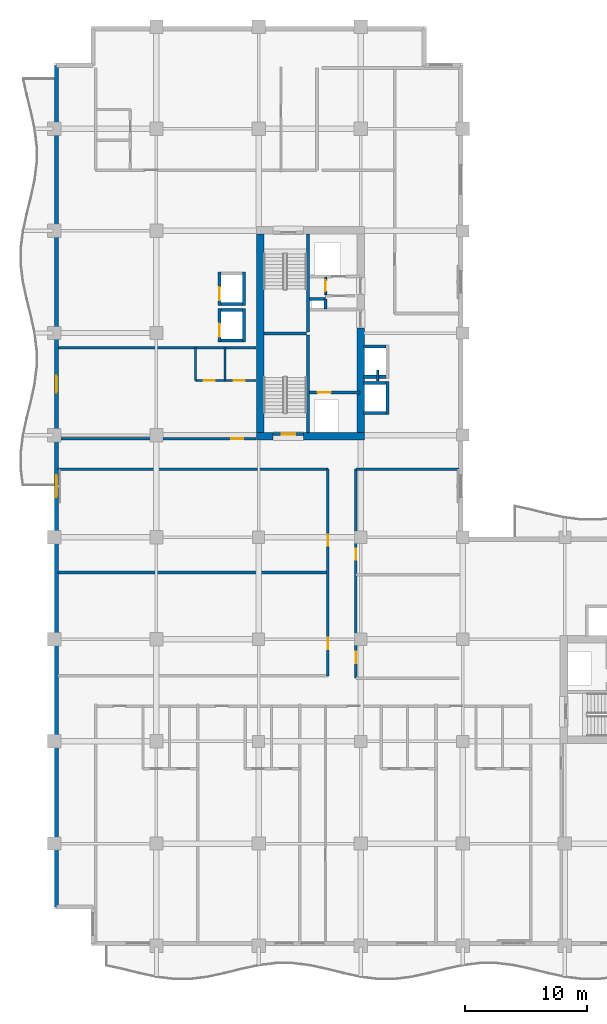
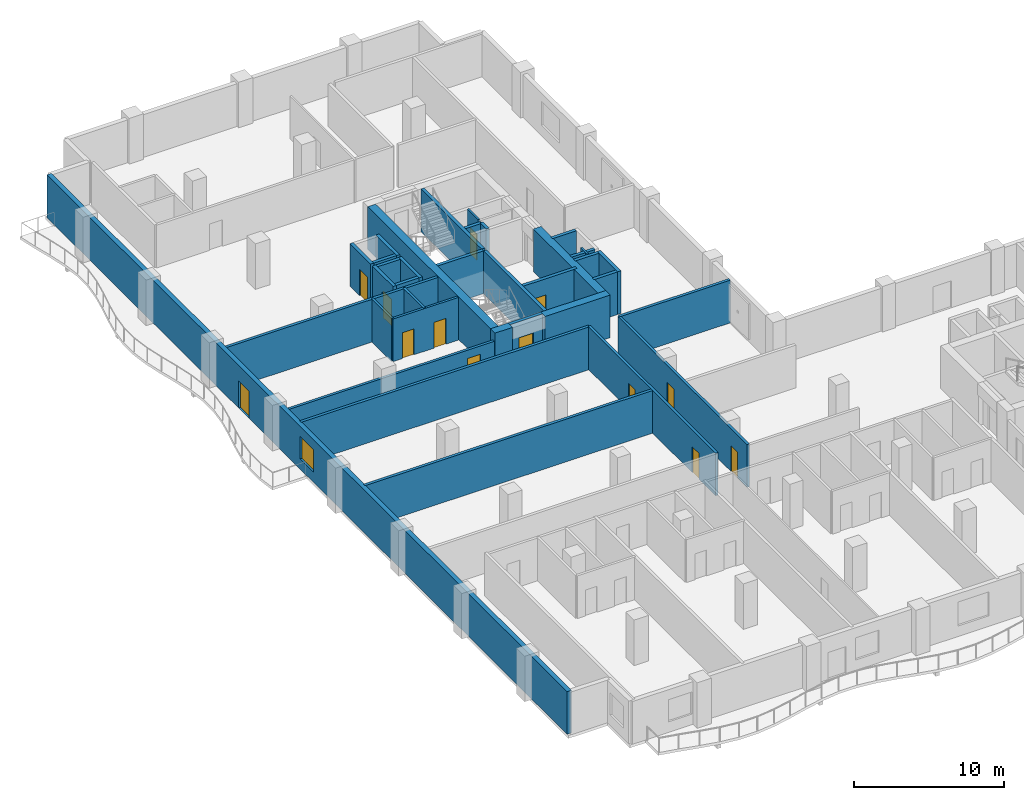
# One storey, part 6 of 14: 36 walls, 13 doors, 1 window, 14 openings.
"""IFC4 building model written with IfcOpenShell, lengths in metres."""

from ifc_helpers import new_model, si_unit, direction, frame, frame_2d, origin, place, context, subcontext, project, spatial, rectangle, extrude, material, layer, layer_set, type_object, element, fill, save


model = new_model("IFC4")

# Units and contexts
model_context = context("Model", 3, precision=1e-05, world=origin(), true_north=direction((0.0, 1.0)))
body_context = subcontext(model_context, "Body", "Model", "MODEL_VIEW")
ifc_project = project(units=[si_unit("LENGTHUNIT", "METRE"), si_unit("AREAUNIT", "SQUARE_METRE"), si_unit("VOLUMEUNIT", "CUBIC_METRE"), si_unit("PLANEANGLEUNIT", "RADIAN"), si_unit("MASSUNIT", "GRAM", prefix="KILO")], contexts=[model_context])

# Site, building, storey
site_placement = place(None, origin())
site = spatial("IfcSite", under=ifc_project, at=site_placement, CompositionType="ELEMENT")
building_placement = place(site_placement, origin())
building = spatial("IfcBuilding", under=site, at=building_placement, Name="Koriwani Terraces Tower", CompositionType="ELEMENT")
storey_placement = place(building_placement, frame((0.0, 0.0, 201.300048828125)))
storey = spatial("IfcBuildingStorey", under=building, at=storey_placement, Name="L49", CompositionType="ELEMENT", Elevation=201.300048828125)

# Walls
ifc_material_1 = material(Name="Concrete C60/75", Category="concrete")
ifc_layer_1 = layer(ifc_material_1, 0.60009765625, Name="Concrete C60/75")
ifc_layer_set_1 = layer_set([ifc_layer_1], Name="Concrete C60/75")
wall_type_1 = type_object("IfcWallType", Name="WALL_CORE_RC_600", PredefinedType="SHEAR", material=ifc_layer_set_1)
wall_1_placement = place(storey_placement, frame((16.64990234375, 41.89990234375, 0.0), z_axis=(0.0, 0.0, 1.0), x_axis=(1.0, 0.0, 0.0)))
element("IfcWall", 1, at=wall_1_placement, inside=storey, type_object=wall_type_1, Name="L49 West Split Core Shear Wall S1", PredefinedType="SHEAR", context=body_context, shape_type="SweptSolid", body=[
    extrude(rectangle(XDim=1.35009765625, YDim=0.60009765625, at=frame_2d((0.675048828125, 0.0))), origin(), (0.0, 0.0, 1.0), 3.469970703125),
])
wall_2_placement = place(storey_placement, frame((20.5, 41.89990234375, 0.0), z_axis=(0.0, 0.0, 1.0), x_axis=(1.0, 0.0, 0.0)))
element("IfcWall", 2, at=wall_2_placement, inside=storey, type_object=wall_type_1, Name="L49 West Split Core Shear Wall S2", PredefinedType="SHEAR", context=body_context, shape_type="SweptSolid", body=[
    extrude(rectangle(XDim=5.0, YDim=0.60009765625, at=frame_2d((2.5, 0.0))), origin(), (0.0, 0.0, 1.0), 3.469970703125),
])
wall_3_placement = place(storey_placement, frame((16.949951171875, 42.199951171875, 0.0), z_axis=(0.0, 0.0, 1.0), x_axis=(0.0, 1.0, 0.0)))
element("IfcWall", 3, at=wall_3_placement, inside=storey, type_object=wall_type_1, Name="L49 West Split Core Shear Wall W1", PredefinedType="SHEAR", context=body_context, shape_type="SweptSolid", body=[
    extrude(rectangle(XDim=16.35009765625, YDim=0.60009765625, at=frame_2d((8.175048828125, 0.0))), origin(), (0.0, 0.0, 1.0), 3.469970703125),
])
wall_4_placement = place(storey_placement, frame((25.199951171875, 42.199951171875, 0.0), z_axis=(0.0, 0.0, 1.0), x_axis=(0.0, 1.0, 0.0)))
element("IfcWall", 4, at=wall_4_placement, inside=storey, type_object=wall_type_1, Name="L49 West Split Core Shear Wall E1", PredefinedType="SHEAR", context=body_context, shape_type="SweptSolid", body=[
    extrude(rectangle(XDim=8.60009765625, YDim=0.60009765625, at=frame_2d((4.300048828125, 0.0))), origin(), (0.0, 0.0, 1.0), 3.469970703125),
])

# Wall, opening, door
ifc_material_2 = material(Name="Autoclaved Cellular Concrete Blockwork", Category="masonry")
ifc_layer_2 = layer(ifc_material_2, 0.199951171875, Name="Autoclaved Cellular Concrete Blockwork")
ifc_layer_set_2 = layer_set([ifc_layer_2], Name="Autoclaved Cellular Concrete Blockwork")
wall_type_2 = type_object("IfcWallType", Name="WALL_CORRIDOR_200", PredefinedType="PARTITIONING", material=ifc_layer_set_2)
wall_5_placement = place(storey_placement, frame((0.35009765625, 41.699951171875, 0.0), z_axis=(0.0, 0.0, 1.0), x_axis=(1.0, 0.0, 0.0)))
wall_5 = element("IfcWall", 5, at=wall_5_placement, inside=storey, type_object=wall_type_2, Name="L49 Interior Wall WREC-WS-L49", PredefinedType="PARTITIONING", context=body_context, shape_type="SweptSolid", body=[
    extrude(rectangle(XDim=16.25, YDim=0.199951171875, at=frame_2d((8.125, 0.0))), origin(), (0.0, 0.0, 1.0), 2.820068359375),
])
opening_1_placement = place(wall_5_placement, frame((14.199951171875, 0.0, 0.0)))
opening_1 = element("IfcOpeningElement", 6, at=opening_1_placement, cuts=wall_5, Name="Opening D-05", PredefinedType="OPENING", context=body_context, shape_type="SweptSolid", body=[
    extrude(rectangle(XDim=1.0, YDim=2.14990234375, at=frame_2d((0.5, 1.074951171875))), frame((0.0, 0.10986328125, 0.0), z_axis=(0.0, -1.0, 0.0), x_axis=(1.0, 0.0, 0.0)), (0.0, 0.0, 1.0), 0.219970703125),
])
ifc_material_3 = material(Name="Architectural Oak Fire Door", Category="wood")
door_type_1 = type_object("IfcDoorType", Name="DOOR_SUITE_ENTRY_1000X2150", OperationType="NOTDEFINED", PredefinedType="DOOR", material=ifc_material_3)
door_1_placement = place(opening_1_placement, origin())
door_1 = element("IfcDoor", 7, at=door_1_placement, inside=storey, type_object=door_type_1, Name="L49 Reclaimed West Suite Door", OperationType="SINGLE_SWING_LEFT", OverallHeight=2.14990234375, OverallWidth=1.0, PredefinedType="DOOR", context=body_context, shape_type="SweptSolid", body=[
    extrude(rectangle(XDim=1.0, YDim=2.14990234375, at=frame_2d((0.5, 1.074951171875))), frame((0.0, 0.02490234375, 0.0), z_axis=(0.0, -1.0, 0.0), x_axis=(1.0, 0.0, 0.0)), (0.0, 0.0, 1.0), 0.050048828125),
])
fill(opening_1, door_1)

# Wall, openings, doors
wall_6_placement = place(storey_placement, frame((24.800048828125, 22.0, 0.0), z_axis=(0.0, 0.0, 1.0), x_axis=(0.0, 1.0, 0.0)))
wall_6 = element("IfcWall", 8, at=wall_6_placement, inside=storey, type_object=wall_type_2, Name="L49 Interior Wall WIC2-W-L49", PredefinedType="PARTITIONING", context=body_context, shape_type="SweptSolid", body=[
    extrude(rectangle(XDim=17.199951171875, YDim=0.199951171875, at=frame_2d((8.60009765625, 0.0))), origin(), (0.0, 0.0, 1.0), 3.469970703125),
])
opening_2_placement = place(wall_6_placement, frame((1.25, 0.0, 0.0)))
opening_2 = element("IfcOpeningElement", 9, at=opening_2_placement, cuts=wall_6, Name="Opening D-06", PredefinedType="OPENING", context=body_context, shape_type="SweptSolid", body=[
    extrude(rectangle(XDim=0.919921875, YDim=2.10009765625, at=frame_2d((0.4599609375, 1.050048828125))), frame((0.0, 0.10986328125, 0.0), z_axis=(0.0, -1.0, 0.0), x_axis=(1.0, 0.0, 0.0)), (0.0, 0.0, 1.0), 0.219970703125),
])
opening_3_placement = place(wall_6_placement, frame((9.75, 0.0, 0.0)))
opening_3 = element("IfcOpeningElement", 10, at=opening_3_placement, cuts=wall_6, Name="Opening D-06", PredefinedType="OPENING", context=body_context, shape_type="SweptSolid", body=[
    extrude(rectangle(XDim=0.919921875, YDim=2.10009765625, at=frame_2d((0.4599609375, 1.050048828125))), frame((0.0, 0.10986328125, 0.0), z_axis=(0.0, -1.0, 0.0), x_axis=(1.0, 0.0, 0.0)), (0.0, 0.0, 1.0), 0.219970703125),
])
door_type_2 = type_object("IfcDoorType", Name="DOOR_ROOM_INT_920X2100", OperationType="NOTDEFINED", PredefinedType="DOOR", material=ifc_material_3)
door_2_placement = place(opening_2_placement, origin())
door_2 = element("IfcDoor", 11, at=door_2_placement, inside=storey, type_object=door_type_2, Name="L49 Inner Court Salon Door", OperationType="SINGLE_SWING_LEFT", OverallHeight=2.10009765625, OverallWidth=0.919921875, PredefinedType="DOOR", context=body_context, shape_type="SweptSolid", body=[
    extrude(rectangle(XDim=0.919921875, YDim=2.10009765625, at=frame_2d((0.4599609375, 1.050048828125))), frame((0.0, 0.02490234375, 0.0), z_axis=(0.0, -1.0, 0.0), x_axis=(1.0, 0.0, 0.0)), (0.0, 0.0, 1.0), 0.050048828125),
])
fill(opening_2, door_2)
door_3_placement = place(opening_3_placement, origin())
door_3 = element("IfcDoor", 12, at=door_3_placement, inside=storey, type_object=door_type_2, Name="L49 Inner Court Media Room Door", OperationType="SINGLE_SWING_RIGHT", OverallHeight=2.10009765625, OverallWidth=0.919921875, PredefinedType="DOOR", context=body_context, shape_type="SweptSolid", body=[
    extrude(rectangle(XDim=0.919921875, YDim=2.10009765625, at=frame_2d((0.4599609375, 1.050048828125))), frame((0.0, 0.02490234375, 0.0), z_axis=(0.0, -1.0, 0.0), x_axis=(1.0, 0.0, 0.0)), (0.0, 0.0, 1.0), 0.050048828125),
])
fill(opening_3, door_3)

wall_7_placement = place(storey_placement, frame((22.5, 22.199951171875, 0.0), z_axis=(0.0, 0.0, 1.0), x_axis=(0.0, 1.0, 0.0)))
wall_7 = element("IfcWall", 13, at=wall_7_placement, inside=storey, type_object=wall_type_2, Name="L49 Interior Wall WNW3CL-L49", PredefinedType="PARTITIONING", context=body_context, shape_type="SweptSolid", body=[
    extrude(rectangle(XDim=17.0, YDim=0.199951171875, at=frame_2d((8.5, 0.0))), origin(), (0.0, 0.0, 1.0), 3.469970703125),
])
opening_4_placement = place(wall_7_placement, frame((2.199951171875, 0.0, 0.0)))
opening_4 = element("IfcOpeningElement", 14, at=opening_4_placement, cuts=wall_7, Name="Opening D-06", PredefinedType="OPENING", context=body_context, shape_type="SweptSolid", body=[
    extrude(rectangle(XDim=0.919921875, YDim=2.10009765625, at=frame_2d((0.4599609375, 1.050048828125))), frame((0.0, 0.10986328125, 0.0), z_axis=(0.0, -1.0, 0.0), x_axis=(1.0, 0.0, 0.0)), (0.0, 0.0, 1.0), 0.219970703125),
])
opening_5_placement = place(wall_7_placement, frame((10.699951171875, 0.0, 0.0)))
opening_5 = element("IfcOpeningElement", 15, at=opening_5_placement, cuts=wall_7, Name="Opening D-06", PredefinedType="OPENING", context=body_context, shape_type="SweptSolid", body=[
    extrude(rectangle(XDim=0.919921875, YDim=2.10009765625, at=frame_2d((0.4599609375, 1.050048828125))), frame((0.0, 0.10986328125, 0.0), z_axis=(0.0, -1.0, 0.0), x_axis=(1.0, 0.0, 0.0)), (0.0, 0.0, 1.0), 0.219970703125),
])
door_4_placement = place(opening_4_placement, origin())
door_4 = element("IfcDoor", 16, at=door_4_placement, inside=storey, type_object=door_type_2, Name="L49 Resident Wellness Studio Door", OperationType="SINGLE_SWING_RIGHT", OverallHeight=2.10009765625, OverallWidth=0.919921875, PredefinedType="DOOR", context=body_context, shape_type="SweptSolid", body=[
    extrude(rectangle(XDim=0.919921875, YDim=2.10009765625, at=frame_2d((0.4599609375, 1.050048828125))), frame((0.0, 0.02490234375, 0.0), z_axis=(0.0, -1.0, 0.0), x_axis=(1.0, 0.0, 0.0)), (0.0, 0.0, 1.0), 0.050048828125),
])
fill(opening_4, door_4)
door_5_placement = place(opening_5_placement, origin())
door_5 = element("IfcDoor", 17, at=door_5_placement, inside=storey, type_object=door_type_2, Name="L49 Resident Cinema Lounge Door", OperationType="SINGLE_SWING_LEFT", OverallHeight=2.10009765625, OverallWidth=0.919921875, PredefinedType="DOOR", context=body_context, shape_type="SweptSolid", body=[
    extrude(rectangle(XDim=0.919921875, YDim=2.10009765625, at=frame_2d((0.4599609375, 1.050048828125))), frame((0.0, 0.02490234375, 0.0), z_axis=(0.0, -1.0, 0.0), x_axis=(1.0, 0.0, 0.0)), (0.0, 0.0, 1.0), 0.050048828125),
])
fill(opening_5, door_5)

# Walls
ifc_layer_3 = layer(ifc_material_2, 0.219970703125, Name="Autoclaved Cellular Concrete Blockwork")
ifc_layer_set_3 = layer_set([ifc_layer_3], Name="Autoclaved Cellular Concrete Blockwork")
wall_type_3 = type_object("IfcWallType", Name="WALL_DEMISING_220", PredefinedType="PARTITIONING", material=ifc_layer_set_3)
wall_8_placement = place(storey_placement, frame((0.35009765625, 49.199951171875, 0.0), z_axis=(0.0, 0.0, 1.0), x_axis=(1.0, 0.0, 0.0)))
element("IfcWall", 18, at=wall_8_placement, inside=storey, type_object=wall_type_3, Name="L49 Interior Wall WREC-WN-L49", PredefinedType="PARTITIONING", context=body_context, shape_type="SweptSolid", body=[
    extrude(rectangle(XDim=16.25, YDim=0.219970703125, at=frame_2d((8.125, 0.0))), origin(), (0.0, 0.0, 1.0), 3.469970703125),
])
wall_9_placement = place(storey_placement, frame((24.800048828125, 39.199951171875, 0.0), z_axis=(0.0, 0.0, 1.0), x_axis=(1.0, 0.0, 0.0)))
element("IfcWall", 19, at=wall_9_placement, inside=storey, type_object=wall_type_3, Name="L49 Interior Wall WIC2-N-L49", PredefinedType="PARTITIONING", context=body_context, shape_type="SweptSolid", body=[
    extrude(rectangle(XDim=8.5, YDim=0.219970703125, at=frame_2d((4.25, 0.0))), origin(), (0.0, 0.0, 1.0), 3.469970703125),
])
for number, where, z_axis, x_axis, name in (
    (20, (0.300048828125, 30.699951171875, 0.0), (0.0, 0.0, 1.0), (1.0, 0.0, 0.0), "L49 Interior Wall WNW3M-L49"),
    (21, (0.300048828125, 39.199951171875, 0.0), (0.0, 0.0, 1.0), (1.0, 0.0, 0.0), "L49 Interior Wall WNW3N-L49"),
):
    element("IfcWall", number, at=place(storey_placement, frame(where, z_axis=z_axis, x_axis=x_axis)), inside=storey, type_object=wall_type_3, Name=name, PredefinedType="PARTITIONING", context=body_context, shape_type="SweptSolid", body=[
        extrude(rectangle(XDim=22.199951171875, YDim=0.219970703125, at=frame_2d((11.10009765625, 0.0))), origin(), (0.0, 0.0, 1.0), 3.469970703125),
    ])

# Wall, openings, door, window
ifc_material_4 = material(Name="Concrete C50/60", Category="concrete")
ifc_layer_4 = layer(ifc_material_4, 0.35009765625, Name="Concrete C50/60")
ifc_layer_set_4 = layer_set([ifc_layer_4], Name="Concrete C50/60")
wall_type_4 = type_object("IfcWallType", Name="WALL_EXT_BRUTALIST_350", PredefinedType="STANDARD", material=ifc_layer_set_4)
wall_10_placement = place(storey_placement, frame((0.175048828125, 3.175048828125, 0.0), z_axis=(0.0, 0.0, 1.0), x_axis=(0.0, 1.0, 0.0)))
wall_10 = element("IfcWall", 22, at=wall_10_placement, inside=storey, type_object=wall_type_4, Name="L49 Fair-Faced Brutalist Exterior Wall (W)", PredefinedType="STANDARD", context=body_context, shape_type="SweptSolid", body=[
    extrude(rectangle(XDim=69.25, YDim=0.35009765625, at=frame_2d((34.625, 0.0))), origin(), (0.0, 0.0, 1.0), 3.469970703125),
])
opening_6_placement = place(wall_10_placement, frame((42.324951171875, 0.0, 0.0)))
opening_6 = element("IfcOpeningElement", 23, at=opening_6_placement, cuts=wall_10, Name="Opening D-09", PredefinedType="OPENING", context=body_context, shape_type="SweptSolid", body=[
    extrude(rectangle(XDim=1.39990234375, YDim=2.199951171875, at=frame_2d((0.699951171875, 1.10009765625))), frame((0.0, 0.18505859375, 0.0), z_axis=(0.0, -1.0, 0.0), x_axis=(1.0, 0.0, 0.0)), (0.0, 0.0, 1.0), 0.3701171875),
])
opening_7_placement = place(wall_10_placement, frame((33.72509765625, 0.0, 0.85009765625)))
opening_7 = element("IfcOpeningElement", 24, at=opening_7_placement, cuts=wall_10, Name="Opening W-04", PredefinedType="OPENING", context=body_context, shape_type="SweptSolid", body=[
    extrude(rectangle(XDim=1.800048828125, YDim=1.800048828125, at=frame_2d((0.89990234375, 0.89990234375))), frame((0.0, 0.18505859375, 0.0), z_axis=(0.0, -1.0, 0.0), x_axis=(1.0, 0.0, 0.0)), (0.0, 0.0, 1.0), 0.3701171875),
])
ifc_material_5 = material(Name="Anodised Bronze Aluminium", Category="aluminium")
door_type_3 = type_object("IfcDoorType", Name="DOOR_BALCONY_GLAZED_1400X2200", OperationType="NOTDEFINED", PredefinedType="DOOR", material=ifc_material_5)
door_6_placement = place(opening_6_placement, origin())
door_6 = element("IfcDoor", 25, at=door_6_placement, inside=storey, type_object=door_type_3, Name="L49 West Balcony Glazed Door", OperationType="SINGLE_SWING_LEFT", OverallHeight=2.199951171875, OverallWidth=1.39990234375, PredefinedType="DOOR", context=body_context, shape_type="SweptSolid", body=[
    extrude(rectangle(XDim=1.39990234375, YDim=2.199951171875, at=frame_2d((0.699951171875, 1.10009765625))), frame((0.0, 0.02490234375, 0.0), z_axis=(0.0, -1.0, 0.0), x_axis=(1.0, 0.0, 0.0)), (0.0, 0.0, 1.0), 0.050048828125),
])
fill(opening_6, door_6)
ifc_material_6 = material(Name="Tempered Laminated Low-E Glass", Category="glass")
window_type = type_object("IfcWindowType", Name="WIN_RES_BED_1800X1800", PartitioningType="DOUBLE_PANEL_VERTICAL", PredefinedType="WINDOW", material=ifc_material_6)
window_placement = place(opening_7_placement, origin())
window = element("IfcWindow", 26, at=window_placement, inside=storey, type_object=window_type, Name="L49 Exterior Window (W-12)", OverallHeight=1.800048828125, OverallWidth=1.800048828125, PartitioningType="SINGLE_PANEL", PredefinedType="WINDOW", context=body_context, shape_type="SweptSolid", body=[
    extrude(rectangle(XDim=1.800048828125, YDim=1.800048828125, at=frame_2d((0.89990234375, 0.89990234375))), frame((0.0, 0.030029296875, 0.0), z_axis=(0.0, -1.0, 0.0), x_axis=(1.0, 0.0, 0.0)), (0.0, 0.0, 1.0), 0.06005859375),
])
fill(opening_7, window)

# Wall, openings, doors
ifc_material_7 = material(Name="Fire-Rated Acoustic Gypsum Partition", Category="masonry")
ifc_layer_5 = layer(ifc_material_7, 0.179931640625, Name="Fire-Rated Acoustic Gypsum Partition")
ifc_layer_set_5 = layer_set([ifc_layer_5], Name="Fire-Rated Acoustic Gypsum Partition")
wall_type_5 = type_object("IfcWallType", Name="WALL_PLUMBING_180", PredefinedType="PLUMBINGWALL", material=ifc_layer_set_5)
wall_11_placement = place(storey_placement, frame((11.60009765625, 46.5, 0.0), z_axis=(0.0, 0.0, 1.0), x_axis=(1.0, 0.0, 0.0)))
wall_11 = element("IfcWall", 27, at=wall_11_placement, inside=storey, type_object=wall_type_5, Name="L49 Interior Wall WREC-WBB-L49", PredefinedType="PLUMBINGWALL", context=body_context, shape_type="SweptSolid", body=[
    extrude(rectangle(XDim=5.0, YDim=0.179931640625, at=frame_2d((2.5, 0.0))), origin(), (0.0, 0.0, 1.0), 3.469970703125),
])
opening_8_placement = place(wall_11_placement, frame((0.699951171875, 0.0, 0.0)))
opening_8 = element("IfcOpeningElement", 28, at=opening_8_placement, cuts=wall_11, Name="Opening D-07", PredefinedType="OPENING", context=body_context, shape_type="SweptSolid", body=[
    extrude(rectangle(XDim=0.89990234375, YDim=2.10009765625, at=frame_2d((0.449951171875, 1.050048828125))), frame((0.0, 0.10009765625, 0.0), z_axis=(0.0, -1.0, 0.0), x_axis=(1.0, 0.0, 0.0)), (0.0, 0.0, 1.0), 0.199951171875),
])
opening_9_placement = place(wall_11_placement, frame((3.14990234375, 0.0, 0.0)))
opening_9 = element("IfcOpeningElement", 29, at=opening_9_placement, cuts=wall_11, Name="Opening D-06", PredefinedType="OPENING", context=body_context, shape_type="SweptSolid", body=[
    extrude(rectangle(XDim=0.919921875, YDim=2.10009765625, at=frame_2d((0.4599609375, 1.050048828125))), frame((0.0, 0.10009765625, 0.0), z_axis=(0.0, -1.0, 0.0), x_axis=(1.0, 0.0, 0.0)), (0.0, 0.0, 1.0), 0.199951171875),
])
door_type_4 = type_object("IfcDoorType", Name="DOOR_BATH_INT_900X2100", OperationType="NOTDEFINED", PredefinedType="DOOR", material=ifc_material_3)
door_7_placement = place(opening_8_placement, origin())
door_7 = element("IfcDoor", 30, at=door_7_placement, inside=storey, type_object=door_type_4, Name="Apartment 49RW Bathroom Door", OperationType="SINGLE_SWING_RIGHT", OverallHeight=2.10009765625, OverallWidth=0.89990234375, PredefinedType="DOOR", context=body_context, shape_type="SweptSolid", body=[
    extrude(rectangle(XDim=0.89990234375, YDim=2.10009765625, at=frame_2d((0.449951171875, 1.050048828125))), frame((0.0, 0.02490234375, 0.0), z_axis=(0.0, -1.0, 0.0), x_axis=(1.0, 0.0, 0.0)), (0.0, 0.0, 1.0), 0.050048828125),
])
fill(opening_8, door_7)
door_8_placement = place(opening_9_placement, origin())
door_8 = element("IfcDoor", 31, at=door_8_placement, inside=storey, type_object=door_type_2, Name="Apartment 49RW Kitchen Door", OperationType="SINGLE_SWING_LEFT", OverallHeight=2.10009765625, OverallWidth=0.919921875, PredefinedType="DOOR", context=body_context, shape_type="SweptSolid", body=[
    extrude(rectangle(XDim=0.919921875, YDim=2.10009765625, at=frame_2d((0.4599609375, 1.050048828125))), frame((0.0, 0.02490234375, 0.0), z_axis=(0.0, -1.0, 0.0), x_axis=(1.0, 0.0, 0.0)), (0.0, 0.0, 1.0), 0.050048828125),
])
fill(opening_9, door_8)

# Walls
for number, where, z_axis, x_axis, name in (
    (32, (11.60009765625, 46.5, 0.0), (0.0, 0.0, 1.0), (0.0, 1.0, 0.0), "L49 Interior Wall WREC-WB2-L49"),
    (33, (14.050048828125, 46.5, 0.0), (0.0, 0.0, 1.0), (0.0, 1.0, 0.0), "L49 Interior Wall WREC-WB3-L49"),
):
    element("IfcWall", number, at=place(storey_placement, frame(where, z_axis=z_axis, x_axis=x_axis)), inside=storey, type_object=wall_type_5, Name=name, PredefinedType="PLUMBINGWALL", context=body_context, shape_type="SweptSolid", body=[
        extrude(rectangle(XDim=2.699951171875, YDim=0.179931640625, at=frame_2d((1.35009765625, 0.0))), origin(), (0.0, 0.0, 1.0), 3.469970703125),
    ])
ifc_material_8 = material(Name="Concrete C40/50", Category="concrete")
ifc_layer_6 = layer(ifc_material_8, 0.25, Name="Concrete C40/50")
ifc_layer_set_6 = layer_set([ifc_layer_6], Name="Concrete C40/50")
wall_type_6 = type_object("IfcWallType", Name="WALL_SHAFT_RATED_250", PredefinedType="SOLIDWALL", material=ifc_layer_set_6)
for number, where, z_axis, x_axis, name in (
    (34, (20.875, 42.199951171875, 0.0), (0.0, 0.0, 1.0), (0.0, 1.0, 0.0), "L49 West Split Core Web Wall MID1"),
    (35, (20.875, 50.5, 0.0), (0.0, 0.0, 1.0), (0.0, 1.0, 0.0), "L49 West Split Core Web Wall MID2"),
):
    element("IfcWall", number, at=place(storey_placement, frame(where, z_axis=z_axis, x_axis=x_axis)), inside=storey, type_object=wall_type_6, Name=name, PredefinedType="SOLIDWALL", context=body_context, shape_type="SweptSolid", body=[
        extrude(rectangle(XDim=8.050048828125, YDim=0.25, at=frame_2d((4.02490234375, 0.0))), origin(), (0.0, 0.0, 1.0), 3.469970703125),
    ])
wall_12_placement = place(storey_placement, frame((17.25, 50.375, 0.0), z_axis=(0.0, 0.0, 1.0), x_axis=(1.0, 0.0, 0.0)))
element("IfcWall", 36, at=wall_12_placement, inside=storey, type_object=wall_type_6, Name="L49 West Split Core Stair Dividing Wall", PredefinedType="SOLIDWALL", context=body_context, shape_type="SweptSolid", body=[
    extrude(rectangle(XDim=3.5, YDim=0.25, at=frame_2d((1.75, 0.0))), origin(), (0.0, 0.0, 1.0), 3.469970703125),
])

# Wall, opening, door
wall_13_placement = place(storey_placement, frame((18.0, 42.074951171875, 0.0), z_axis=(0.0, 0.0, 1.0), x_axis=(1.0, 0.0, 0.0)))
wall_13 = element("IfcWall", 37, at=wall_13_placement, inside=storey, type_object=wall_type_6, Name="L49 Interior Wall WIN-CW-L49-STS", PredefinedType="SOLIDWALL", context=body_context, shape_type="SweptSolid", body=[
    extrude(rectangle(XDim=2.5, YDim=0.25, at=frame_2d((1.25, 0.0))), origin(), (0.0, 0.0, 1.0), 3.469970703125),
])
opening_10_placement = place(wall_13_placement, frame((0.699951171875, 0.0, 0.0)))
opening_10 = element("IfcOpeningElement", 38, at=opening_10_placement, cuts=wall_13, Name="Opening D-03", PredefinedType="OPENING", context=body_context, shape_type="SweptSolid", body=[
    extrude(rectangle(XDim=1.10009765625, YDim=2.14990234375, at=frame_2d((0.550048828125, 1.074951171875))), frame((0.0, 0.135009765625, 0.0), z_axis=(0.0, -1.0, 0.0), x_axis=(1.0, 0.0, 0.0)), (0.0, 0.0, 1.0), 0.27001953125),
])
ifc_material_9 = material(Name="Steel ASTM A572 Grade 50", Category="steel")
door_type_5 = type_object("IfcDoorType", Name="DOOR_STAIR_FIRE_1100X2150", OperationType="NOTDEFINED", PredefinedType="DOOR", material=ifc_material_9)
door_9_placement = place(opening_10_placement, origin())
door_9 = element("IfcDoor", 39, at=door_9_placement, inside=storey, type_object=door_type_5, Name="L49 Exit Stair ST-W1 Door", OperationType="SINGLE_SWING_LEFT", OverallHeight=2.14990234375, OverallWidth=1.10009765625, PredefinedType="DOOR", context=body_context, shape_type="SweptSolid", body=[
    extrude(rectangle(XDim=1.10009765625, YDim=2.14990234375, at=frame_2d((0.550048828125, 1.074951171875))), frame((0.0, 0.02490234375, 0.0), z_axis=(0.0, -1.0, 0.0), x_axis=(1.0, 0.0, 0.0)), (0.0, 0.0, 1.0), 0.050048828125),
])
fill(opening_10, door_9)

wall_14_placement = place(storey_placement, frame((21.0, 45.5, 0.0), z_axis=(0.0, 0.0, 1.0), x_axis=(1.0, 0.0, 0.0)))
wall_14 = element("IfcWall", 40, at=wall_14_placement, inside=storey, type_object=wall_type_6, Name="L49 Interior Wall WIN-CW-L49-FE", PredefinedType="SOLIDWALL", context=body_context, shape_type="SweptSolid", body=[
    extrude(rectangle(XDim=4.14990234375, YDim=0.25, at=frame_2d((2.074951171875, 0.0))), origin(), (0.0, 0.0, 1.0), 3.469970703125),
])
opening_11_placement = place(wall_14_placement, frame((0.64990234375, 0.0, 0.0)))
opening_11 = element("IfcOpeningElement", 41, at=opening_11_placement, cuts=wall_14, Name="Opening LD-01", PredefinedType="OPENING", context=body_context, shape_type="SweptSolid", body=[
    extrude(rectangle(XDim=1.10009765625, YDim=2.14990234375, at=frame_2d((0.550048828125, 1.074951171875))), frame((0.0, 0.135009765625, 0.0), z_axis=(0.0, -1.0, 0.0), x_axis=(1.0, 0.0, 0.0)), (0.0, 0.0, 1.0), 0.27001953125),
])
door_type_6 = type_object("IfcDoorType", Name="DOOR_LIFT_LANDING_1100X2200", OperationType="NOTDEFINED", PredefinedType="DOOR", material=ifc_material_9)
door_10_placement = place(opening_11_placement, origin())
door_10 = element("IfcDoor", 42, at=door_10_placement, inside=storey, type_object=door_type_6, Name="L49 Firefighting Lift FE-01 Landing Door", OperationType="SLIDING_TO_LEFT", OverallHeight=2.14990234375, OverallWidth=1.10009765625, PredefinedType="DOOR", context=body_context, shape_type="SweptSolid", body=[
    extrude(rectangle(XDim=1.10009765625, YDim=2.14990234375, at=frame_2d((0.550048828125, 1.074951171875))), frame((0.0, 0.02490234375, 0.0), z_axis=(0.0, -1.0, 0.0), x_axis=(1.0, 0.0, 0.0)), (0.0, 0.0, 1.0), 0.050048828125),
])
fill(opening_11, door_10)

# Walls
wall_15_placement = place(storey_placement, frame((21.0, 53.199951171875, 0.0), z_axis=(0.0, 0.0, 1.0), x_axis=(1.0, 0.0, 0.0)))
element("IfcWall", 43, at=wall_15_placement, inside=storey, type_object=wall_type_6, Name="L49 Interior Wall WIN-CW-L49-RS1", PredefinedType="SOLIDWALL", context=body_context, shape_type="SweptSolid", body=[
    extrude(rectangle(XDim=1.300048828125, YDim=0.25, at=frame_2d((0.64990234375, 0.0))), origin(), (0.0, 0.0, 1.0), 3.469970703125),
])
wall_16_placement = place(storey_placement, frame((22.300048828125, 52.360107421875, 0.0), z_axis=(0.0, 0.0, 1.0), x_axis=(0.0, 1.0, 0.0)))
element("IfcWall", 44, at=wall_16_placement, inside=storey, type_object=wall_type_6, Name="L49 Interior Wall WIN-CW-L49-RS2", PredefinedType="SOLIDWALL", context=body_context, shape_type="SweptSolid", body=[
    extrude(rectangle(XDim=0.83984375, YDim=0.25, at=frame_2d((0.419921875, 0.0))), origin(), (0.0, 0.0, 1.0), 3.469970703125),
])

# Wall, opening, door
wall_17_placement = place(storey_placement, frame((13.60009765625, 49.675048828125, 0.0), z_axis=(0.0, 0.0, 1.0), x_axis=(0.0, 1.0, 0.0)))
wall_17 = element("IfcWall", 45, at=wall_17_placement, inside=storey, type_object=wall_type_6, Name="L49 Interior Wall WIN-LF-PE-M1-L49-F", PredefinedType="SOLIDWALL", context=body_context, shape_type="SweptSolid", body=[
    extrude(rectangle(XDim=2.75, YDim=0.25, at=frame_2d((1.375, 0.0))), origin(), (0.0, 0.0, 1.0), 3.469970703125),
])
opening_12_placement = place(wall_17_placement, frame((0.39990234375, 0.0, 0.0)))
opening_12 = element("IfcOpeningElement", 46, at=opening_12_placement, cuts=wall_17, Name="Opening LD-01", PredefinedType="OPENING", context=body_context, shape_type="SweptSolid", body=[
    extrude(rectangle(XDim=1.10009765625, YDim=2.14990234375, at=frame_2d((0.550048828125, 1.074951171875))), frame((0.0, 0.135009765625, 0.0), z_axis=(0.0, -1.0, 0.0), x_axis=(1.0, 0.0, 0.0)), (0.0, 0.0, 1.0), 0.27001953125),
])
door_11_placement = place(opening_12_placement, origin())
door_11 = element("IfcDoor", 47, at=door_11_placement, inside=storey, type_object=door_type_6, Name="L49 Passenger Lift PE-M1 Landing Door", OperationType="SLIDING_TO_LEFT", OverallHeight=2.14990234375, OverallWidth=1.10009765625, PredefinedType="DOOR", context=body_context, shape_type="SweptSolid", body=[
    extrude(rectangle(XDim=1.10009765625, YDim=2.14990234375, at=frame_2d((0.550048828125, 1.074951171875))), frame((0.0, 0.02490234375, 0.0), z_axis=(0.0, -1.0, 0.0), x_axis=(1.0, 0.0, 0.0)), (0.0, 0.0, 1.0), 0.050048828125),
])
fill(opening_12, door_11)

# Walls
wall_18_placement = place(storey_placement, frame((15.60009765625, 49.675048828125, 0.0), z_axis=(0.0, 0.0, 1.0), x_axis=(0.0, 1.0, 0.0)))
element("IfcWall", 48, at=wall_18_placement, inside=storey, type_object=wall_type_6, Name="L49 Interior Wall WIN-LF-PE-M1-L49-B", PredefinedType="SOLIDWALL", context=body_context, shape_type="SweptSolid", body=[
    extrude(rectangle(XDim=2.75, YDim=0.25, at=frame_2d((1.375, 0.0))), origin(), (0.0, 0.0, 1.0), 3.469970703125),
])
for number, where, z_axis, x_axis, name in (
    (49, (13.72509765625, 49.800048828125, 0.0), (0.0, 0.0, 1.0), (1.0, 0.0, 0.0), "L49 Interior Wall WIN-LF-PE-M1-L49-S"),
    (50, (13.72509765625, 52.300048828125, 0.0), (0.0, 0.0, 1.0), (1.0, 0.0, 0.0), "L49 Interior Wall WIN-LF-PE-M1-L49-N"),
):
    element("IfcWall", number, at=place(storey_placement, frame(where, z_axis=z_axis, x_axis=x_axis)), inside=storey, type_object=wall_type_6, Name=name, PredefinedType="SOLIDWALL", context=body_context, shape_type="SweptSolid", body=[
        extrude(rectangle(XDim=1.75, YDim=0.25, at=frame_2d((0.875, 0.0))), origin(), (0.0, 0.0, 1.0), 3.469970703125),
    ])

# Wall, opening, door
wall_19_placement = place(storey_placement, frame((13.60009765625, 52.675048828125, 0.0), z_axis=(0.0, 0.0, 1.0), x_axis=(0.0, 1.0, 0.0)))
wall_19 = element("IfcWall", 51, at=wall_19_placement, inside=storey, type_object=wall_type_6, Name="L49 Interior Wall WIN-LF-PE-M2-L49-F", PredefinedType="SOLIDWALL", context=body_context, shape_type="SweptSolid", body=[
    extrude(rectangle(XDim=2.75, YDim=0.25, at=frame_2d((1.375, 0.0))), origin(), (0.0, 0.0, 1.0), 3.469970703125),
])
opening_13_placement = place(wall_19_placement, frame((0.39990234375, 0.0, 0.0)))
opening_13 = element("IfcOpeningElement", 52, at=opening_13_placement, cuts=wall_19, Name="Opening LD-01", PredefinedType="OPENING", context=body_context, shape_type="SweptSolid", body=[
    extrude(rectangle(XDim=1.10009765625, YDim=2.14990234375, at=frame_2d((0.550048828125, 1.074951171875))), frame((0.0, 0.135009765625, 0.0), z_axis=(0.0, -1.0, 0.0), x_axis=(1.0, 0.0, 0.0)), (0.0, 0.0, 1.0), 0.27001953125),
])
door_12_placement = place(opening_13_placement, origin())
door_12 = element("IfcDoor", 53, at=door_12_placement, inside=storey, type_object=door_type_6, Name="L49 Passenger Lift PE-M2 Landing Door", OperationType="SLIDING_TO_LEFT", OverallHeight=2.14990234375, OverallWidth=1.10009765625, PredefinedType="DOOR", context=body_context, shape_type="SweptSolid", body=[
    extrude(rectangle(XDim=1.10009765625, YDim=2.14990234375, at=frame_2d((0.550048828125, 1.074951171875))), frame((0.0, 0.02490234375, 0.0), z_axis=(0.0, -1.0, 0.0), x_axis=(1.0, 0.0, 0.0)), (0.0, 0.0, 1.0), 0.050048828125),
])
fill(opening_13, door_12)

# Walls
wall_20_placement = place(storey_placement, frame((15.60009765625, 52.675048828125, 0.0), z_axis=(0.0, 0.0, 1.0), x_axis=(0.0, 1.0, 0.0)))
element("IfcWall", 54, at=wall_20_placement, inside=storey, type_object=wall_type_6, Name="L49 Interior Wall WIN-LF-PE-M2-L49-B", PredefinedType="SOLIDWALL", context=body_context, shape_type="SweptSolid", body=[
    extrude(rectangle(XDim=2.75, YDim=0.25, at=frame_2d((1.375, 0.0))), origin(), (0.0, 0.0, 1.0), 3.469970703125),
])
wall_21_placement = place(storey_placement, frame((13.72509765625, 52.800048828125, 0.0), z_axis=(0.0, 0.0, 1.0), x_axis=(1.0, 0.0, 0.0)))
element("IfcWall", 55, at=wall_21_placement, inside=storey, type_object=wall_type_6, Name="L49 Interior Wall WIN-LF-PE-M2-L49-S", PredefinedType="SOLIDWALL", context=body_context, shape_type="SweptSolid", body=[
    extrude(rectangle(XDim=1.75, YDim=0.25, at=frame_2d((0.875, 0.0))), origin(), (0.0, 0.0, 1.0), 3.469970703125),
])
wall_22_placement = place(storey_placement, frame((27.39990234375, 43.675048828125, 0.0), z_axis=(0.0, 0.0, 1.0), x_axis=(0.0, 1.0, 0.0)))
element("IfcWall", 56, at=wall_22_placement, inside=storey, type_object=wall_type_6, Name="L49 Interior Wall WIN-LF-PE-H1-L49-F", PredefinedType="SOLIDWALL", context=body_context, shape_type="SweptSolid", body=[
    extrude(rectangle(XDim=2.75, YDim=0.25, at=frame_2d((1.375, 0.0))), origin(), (0.0, 0.0, 1.0), 3.469970703125),
])
for number, where, z_axis, x_axis, name in (
    (57, (25.449951171875, 43.800048828125, 0.0), (0.0, 0.0, 1.0), (1.0, 0.0, 0.0), "L49 Interior Wall WIN-LF-PE-H1-L49-S"),
    (58, (25.449951171875, 46.300048828125, 0.0), (0.0, 0.0, 1.0), (1.0, 0.0, 0.0), "L49 Interior Wall WIN-LF-PE-H1-L49-N"),
    (59, (25.449951171875, 46.800048828125, 0.0), (0.0, 0.0, 1.0), (1.0, 0.0, 0.0), "L49 Interior Wall WIN-LF-PE-H2-L49-S"),
    (60, (25.449951171875, 49.300048828125, 0.0), (0.0, 0.0, 1.0), (1.0, 0.0, 0.0), "L49 Interior Wall WIN-LF-PE-H2-L49-N"),
):
    element("IfcWall", number, at=place(storey_placement, frame(where, z_axis=z_axis, x_axis=x_axis)), inside=storey, type_object=wall_type_6, Name=name, PredefinedType="SOLIDWALL", context=body_context, shape_type="SweptSolid", body=[
        extrude(rectangle(XDim=1.824951171875, YDim=0.25, at=frame_2d((0.91259765625, 0.0))), origin(), (0.0, 0.0, 1.0), 3.469970703125),
    ])

# Wall, opening, door
ifc_layer_7 = layer(ifc_material_7, 0.159912109375, Name="Fire-Rated Acoustic Gypsum Partition")
ifc_layer_set_7 = layer_set([ifc_layer_7], Name="Fire-Rated Acoustic Gypsum Partition")
wall_type_7 = type_object("IfcWallType", Name="WALL_SUITE_160", PredefinedType="PARTITIONING", material=ifc_layer_set_7)
wall_23_placement = place(storey_placement, frame((22.320068359375, 53.56005859375, 0.0), z_axis=(0.0, 0.0, 1.0), x_axis=(0.0, 1.0, 0.0)))
wall_23 = element("IfcWall", 61, at=wall_23_placement, inside=storey, type_object=wall_type_7, Name="L49 Interior Wall WIN-CW-L49-SV1A", PredefinedType="PARTITIONING", context=body_context, shape_type="SweptSolid", body=[
    extrude(rectangle(XDim=1.43994140625, YDim=0.159912109375, at=frame_2d((0.719970703125, 0.0))), origin(), (0.0, 0.0, 1.0), 3.469970703125),
])
opening_14_placement = place(wall_23_placement, frame((0.260009765625, 0.0, 0.0)))
opening_14 = element("IfcOpeningElement", 62, at=opening_14_placement, cuts=wall_23, Name="Opening D-07", PredefinedType="OPENING", context=body_context, shape_type="SweptSolid", body=[
    extrude(rectangle(XDim=0.89990234375, YDim=2.10009765625, at=frame_2d((0.449951171875, 1.050048828125))), frame((0.0, 0.08984375, 0.0), z_axis=(0.0, -1.0, 0.0), x_axis=(1.0, 0.0, 0.0)), (0.0, 0.0, 1.0), 0.179931640625),
])
door_13_placement = place(opening_14_placement, origin())
door_13 = element("IfcDoor", 63, at=door_13_placement, inside=storey, type_object=door_type_4, Name="L49 West Telecom Room Door", OperationType="SINGLE_SWING_LEFT", OverallHeight=2.10009765625, OverallWidth=0.89990234375, PredefinedType="DOOR", context=body_context, shape_type="SweptSolid", body=[
    extrude(rectangle(XDim=0.89990234375, YDim=2.10009765625, at=frame_2d((0.449951171875, 1.050048828125))), frame((0.0, 0.02490234375, 0.0), z_axis=(0.0, -1.0, 0.0), x_axis=(1.0, 0.0, 0.0)), (0.0, 0.0, 1.0), 0.050048828125),
])
fill(opening_14, door_13)

# Wall
wall_24_placement = place(storey_placement, frame((26.60009765625, 46.4599609375, 0.0), z_axis=(0.0, 0.0, 1.0), x_axis=(0.0, 1.0, 0.0)))
element("IfcWall", 64, at=wall_24_placement, inside=storey, type_object=wall_type_7, Name="L49 Interior Wall WIN-LF-PEH12-MID-L49", PredefinedType="PARTITIONING", context=body_context, shape_type="SweptSolid", body=[
    extrude(rectangle(XDim=0.880126953125, YDim=0.159912109375, at=frame_2d((0.43994140625, 0.0))), origin(), (0.0, 0.0, 1.0), 3.469970703125),
])

save(model, "model.ifc")
